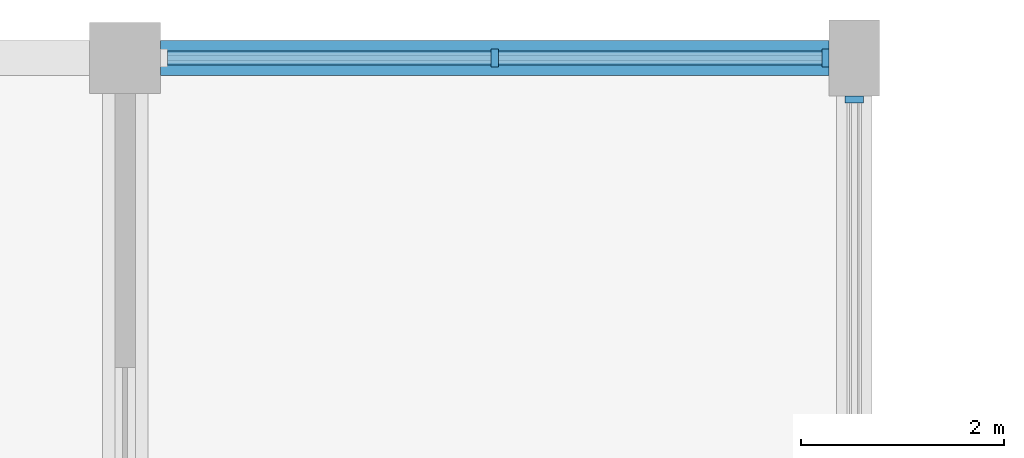
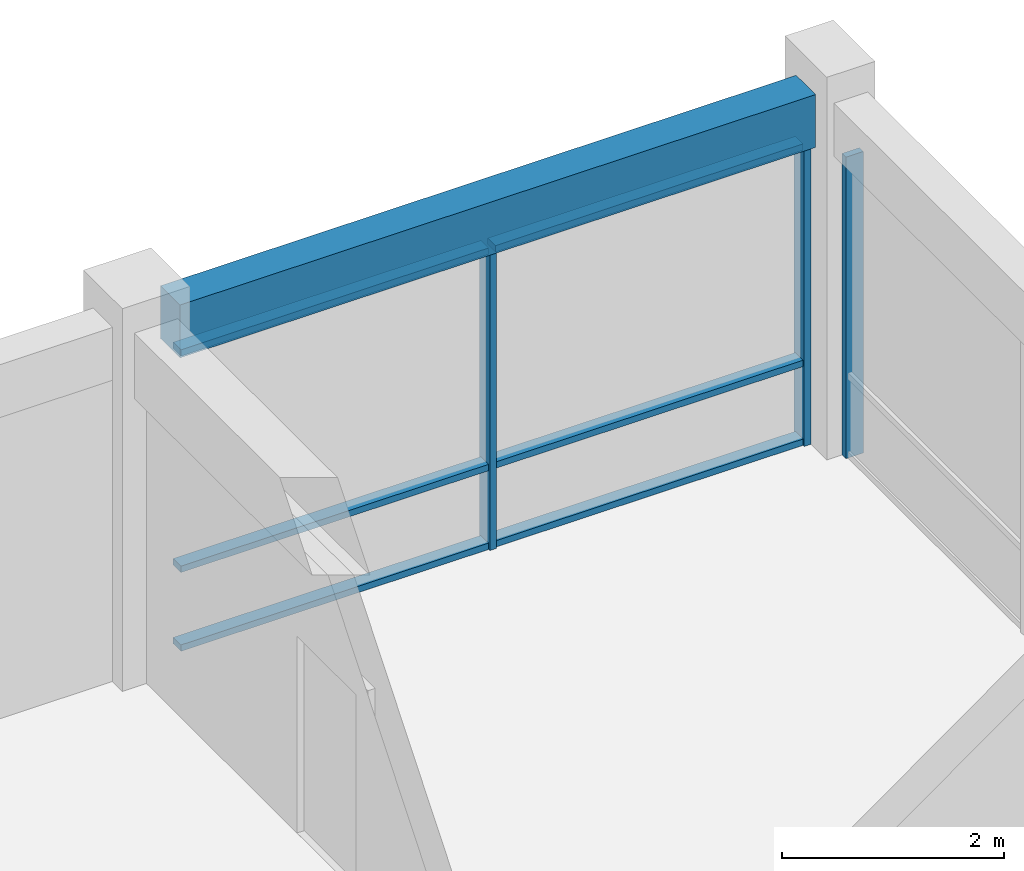
# One storey, part 13 of 31: 9 members, 1 beam, 2 elements without a shape of their own.
"""IFC4 building model written with IfcOpenShell, lengths in metres."""

from ifc_helpers import new_model, si_unit, direction, frame, origin, origin_2d, place, context, subcontext, project, spatial, rectangle, extrude, material, layer, layer_set, material_profile, profile_set, type_object, element, aggregate, save


model = new_model("IFC4")

# Units and contexts
model_context = context("Model", 3, precision=1e-05, world=origin(), true_north=direction((0.0, 1.0)))
body_context = subcontext(model_context, "Body", "Model", "MODEL_VIEW")
ifc_project = project(units=[si_unit("LENGTHUNIT", "METRE"), si_unit("AREAUNIT", "SQUARE_METRE"), si_unit("VOLUMEUNIT", "CUBIC_METRE"), si_unit("PLANEANGLEUNIT", "RADIAN"), si_unit("MASSUNIT", "GRAM", prefix="KILO")], contexts=[model_context])

# Site, building, storey
site_placement = place(None, origin())
site = spatial("IfcSite", under=ifc_project, at=site_placement, CompositionType="ELEMENT")
building_placement = place(site_placement, origin())
building = spatial("IfcBuilding", under=site, at=building_placement, Name="Cendaluz Park School", CompositionType="ELEMENT")
storey_placement = place(building_placement, frame((0.0, 0.0, 14.39990234375)))
storey = spatial("IfcBuildingStorey", under=building, at=storey_placement, Name="L03", CompositionType="ELEMENT", Elevation=14.39990234375)

# Beam
ifc_material_1 = material(Name="Concrete C40/50", Category="concrete")
ifc_material_profile_1 = material_profile(ifc_material_1, rectangle(XDim=0.35009765625, YDim=0.580078125, at=origin_2d()), Name="RC 350x580", Category="concrete")
ifc_profile_set_1 = profile_set([ifc_material_profile_1], Name="Concrete C40/50")
beam_type = type_object("IfcBeamType", Name="BM-RC04", PredefinedType="LINTEL", material=ifc_profile_set_1)
beam_placement = place(storey_placement, frame((101.14990234375, 72.0, 3.60009765625), z_axis=(1.0, 0.0, 0.0), x_axis=(0.0, 1.0, 0.0)))
element("IfcBeam", 1, at=beam_placement, inside=storey, type_object=beam_type, Name="BM-L03-BMRC04-0083", PredefinedType="LINTEL", context=body_context, shape_type="SweptSolid", body=[
    extrude(rectangle(XDim=0.35009765625, YDim=0.580078125, at=origin_2d()), origin(), (0.0, 0.0, 1.0), 6.60009765625),
])

# Curtain wall, members
ifc_material_2 = material(Name="Anodised Aluminium 6063-T6", Category="aluminium")
ifc_layer_1 = layer(ifc_material_2, 0.179931640625)
ifc_layer_set_1 = layer_set([ifc_layer_1], Name="Anodised Aluminium 6063-T6")
curtain_wall_type_1 = type_object("IfcCurtainWallType", Name="CW-132x66", PredefinedType="NOTDEFINED", material=ifc_layer_set_1)
curtain_wall_1_placement = place(storey_placement, origin())
curtain_wall_1 = element("IfcCurtainWall", 2, at=curtain_wall_1_placement, inside=storey, type_object=curtain_wall_type_1, Name="CW-L03-150", PredefinedType="NOTDEFINED")
ifc_material_profile_2 = material_profile(ifc_material_2, rectangle(XDim=0.179931640625, YDim=0.070068359375, at=origin_2d()), Name="CWM 180x70", Category="aluminium")
ifc_profile_set_2 = profile_set([ifc_material_profile_2], Name="Anodised Aluminium 6063-T6")
member_type_1 = type_object("IfcMemberType", Name="CWM-01", PredefinedType="MULLION", material=ifc_profile_set_2)
member_1_placement = place(storey_placement, frame((104.449951171875, 72.0, 0.0), z_axis=(0.0, 0.0, 1.0), x_axis=(0.0, 1.0, 0.0)))
member_1 = element("IfcMember", 3, at=member_1_placement, type_object=member_type_1, Name="CP-L03-1939", PredefinedType="MULLION", context=body_context, shape_type="SweptSolid", body=[
    extrude(rectangle(XDim=0.179931640625, YDim=0.070068359375, at=origin_2d()), origin(), (0.0, 0.0, 1.0), 3.31005859375),
])
member_2_placement = place(storey_placement, frame((107.715087890625, 72.0, 0.0), z_axis=(0.0, 0.0, 1.0), x_axis=(0.0, 1.0, 0.0)))
member_2 = element("IfcMember", 4, at=member_2_placement, type_object=member_type_1, Name="CP-L03-1940", PredefinedType="MULLION", context=body_context, shape_type="SweptSolid", body=[
    extrude(rectangle(XDim=0.179931640625, YDim=0.070068359375, at=origin_2d()), origin(), (0.0, 0.0, 1.0), 3.31005859375),
])

# Curtain wall, member
ifc_layer_2 = layer(ifc_material_2, 0.179931640625)
ifc_layer_set_2 = layer_set([ifc_layer_2], Name="Anodised Aluminium 6063-T6")
curtain_wall_type_2 = type_object("IfcCurtainWallType", Name="CW-130x66", PredefinedType="NOTDEFINED", material=ifc_layer_set_2)
curtain_wall_2_placement = place(storey_placement, origin())
curtain_wall_2 = element("IfcCurtainWall", 5, at=curtain_wall_2_placement, inside=storey, type_object=curtain_wall_type_2, Name="CW-L03-151", PredefinedType="NOTDEFINED")
member_3_placement = place(storey_placement, frame((108.0, 71.590087890625, 0.0), z_axis=(0.0, 0.0, 1.0), x_axis=(-1.0, 0.0, 0.0)))
member_3 = element("IfcMember", 6, at=member_3_placement, type_object=member_type_1, Name="CP-L03-1953", PredefinedType="MULLION", context=body_context, shape_type="SweptSolid", body=[
    extrude(rectangle(XDim=0.179931640625, YDim=0.070068359375, at=origin_2d()), origin(), (0.0, 0.0, 1.0), 3.31005859375),
])
aggregate(curtain_wall_2, [member_3])

# Member
ifc_material_profile_3 = material_profile(ifc_material_2, rectangle(XDim=0.139892578125, YDim=0.070068359375, at=origin_2d()), Name="CWT 140x70", Category="aluminium")
ifc_profile_set_3 = profile_set([ifc_material_profile_3], Name="Anodised Aluminium 6063-T6")
member_type_2 = type_object("IfcMemberType", Name="CWT-01", PredefinedType="USERDEFINED", material=ifc_profile_set_3)
member_4_placement = place(storey_placement, frame((101.219970703125, 72.0, 0.03515625), z_axis=(1.0, 0.0, 0.0), x_axis=(0.0, 1.0, 0.0)))
member_4 = element("IfcMember", 7, at=member_4_placement, type_object=member_type_2, Name="CP-L03-1941", ObjectType="TRANSOM", PredefinedType="USERDEFINED", context=body_context, shape_type="SweptSolid", body=[
    extrude(rectangle(XDim=0.139892578125, YDim=0.070068359375, at=origin_2d()), origin(), (0.0, 0.0, 1.0), 3.195068359375),
])

member_5_placement = place(storey_placement, frame((101.219970703125, 72.0, 0.900146484375), z_axis=(1.0, 0.0, 0.0), x_axis=(0.0, 1.0, 0.0)))
member_5 = element("IfcMember", 8, at=member_5_placement, type_object=member_type_2, Name="CP-L03-1942", ObjectType="TRANSOM", PredefinedType="USERDEFINED", context=body_context, shape_type="SweptSolid", body=[
    extrude(rectangle(XDim=0.139892578125, YDim=0.070068359375, at=origin_2d()), origin(), (0.0, 0.0, 1.0), 3.195068359375),
])

member_6_placement = place(storey_placement, frame((101.219970703125, 72.0, 3.275146484375), z_axis=(1.0, 0.0, 0.0), x_axis=(0.0, 1.0, 0.0)))
member_6 = element("IfcMember", 9, at=member_6_placement, type_object=member_type_2, Name="CP-L03-1943", ObjectType="TRANSOM", PredefinedType="USERDEFINED", context=body_context, shape_type="SweptSolid", body=[
    extrude(rectangle(XDim=0.139892578125, YDim=0.070068359375, at=origin_2d()), origin(), (0.0, 0.0, 1.0), 3.195068359375),
])

member_7_placement = place(storey_placement, frame((104.485107421875, 72.0, 0.03515625), z_axis=(1.0, 0.0, 0.0), x_axis=(0.0, 1.0, 0.0)))
member_7 = element("IfcMember", 10, at=member_7_placement, type_object=member_type_2, Name="CP-L03-1946", ObjectType="TRANSOM", PredefinedType="USERDEFINED", context=body_context, shape_type="SweptSolid", body=[
    extrude(rectangle(XDim=0.139892578125, YDim=0.070068359375, at=origin_2d()), origin(), (0.0, 0.0, 1.0), 3.19482421875),
])

member_8_placement = place(storey_placement, frame((104.485107421875, 72.0, 0.900146484375), z_axis=(1.0, 0.0, 0.0), x_axis=(0.0, 1.0, 0.0)))
member_8 = element("IfcMember", 11, at=member_8_placement, type_object=member_type_2, Name="CP-L03-1947", ObjectType="TRANSOM", PredefinedType="USERDEFINED", context=body_context, shape_type="SweptSolid", body=[
    extrude(rectangle(XDim=0.139892578125, YDim=0.070068359375, at=origin_2d()), origin(), (0.0, 0.0, 1.0), 3.19482421875),
])

member_9_placement = place(storey_placement, frame((104.485107421875, 72.0, 3.275146484375), z_axis=(1.0, 0.0, 0.0), x_axis=(0.0, 1.0, 0.0)))
member_9 = element("IfcMember", 12, at=member_9_placement, type_object=member_type_2, Name="CP-L03-1948", ObjectType="TRANSOM", PredefinedType="USERDEFINED", context=body_context, shape_type="SweptSolid", body=[
    extrude(rectangle(XDim=0.139892578125, YDim=0.070068359375, at=origin_2d()), origin(), (0.0, 0.0, 1.0), 3.19482421875),
])

aggregate(curtain_wall_1, [member_1, member_2, member_4, member_5, member_6, member_7, member_8, member_9])

save(model, "model.ifc")
